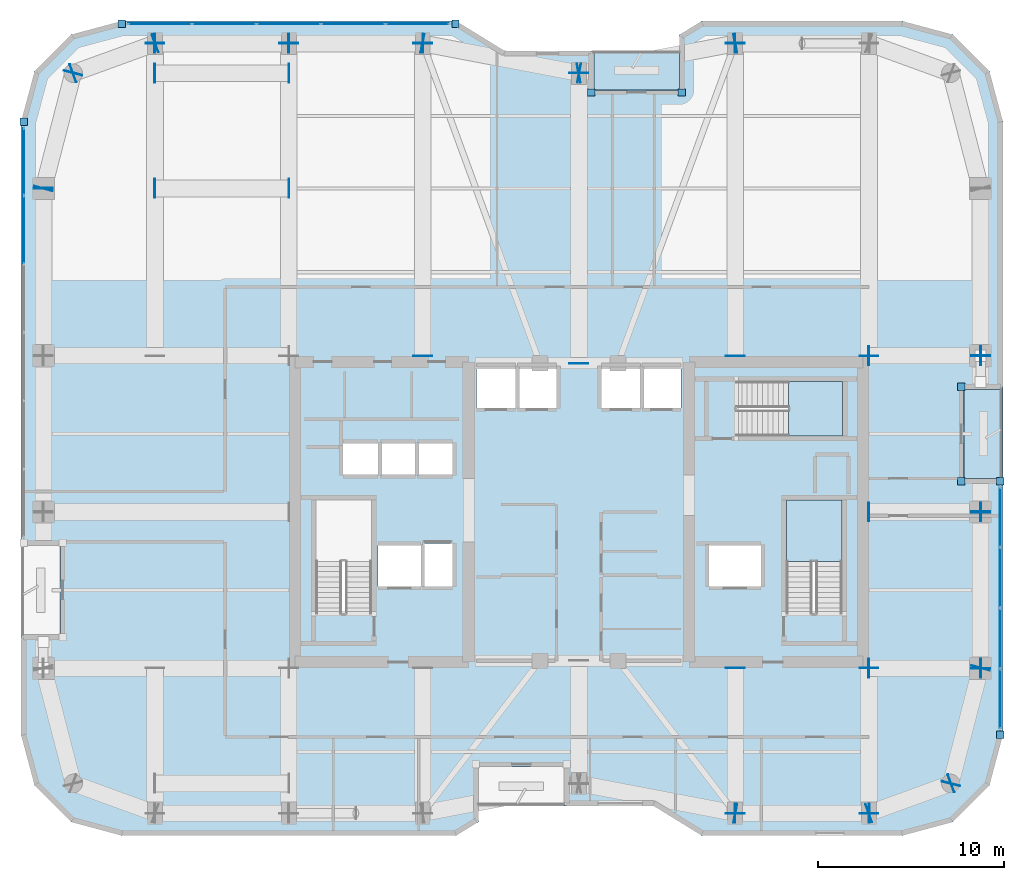
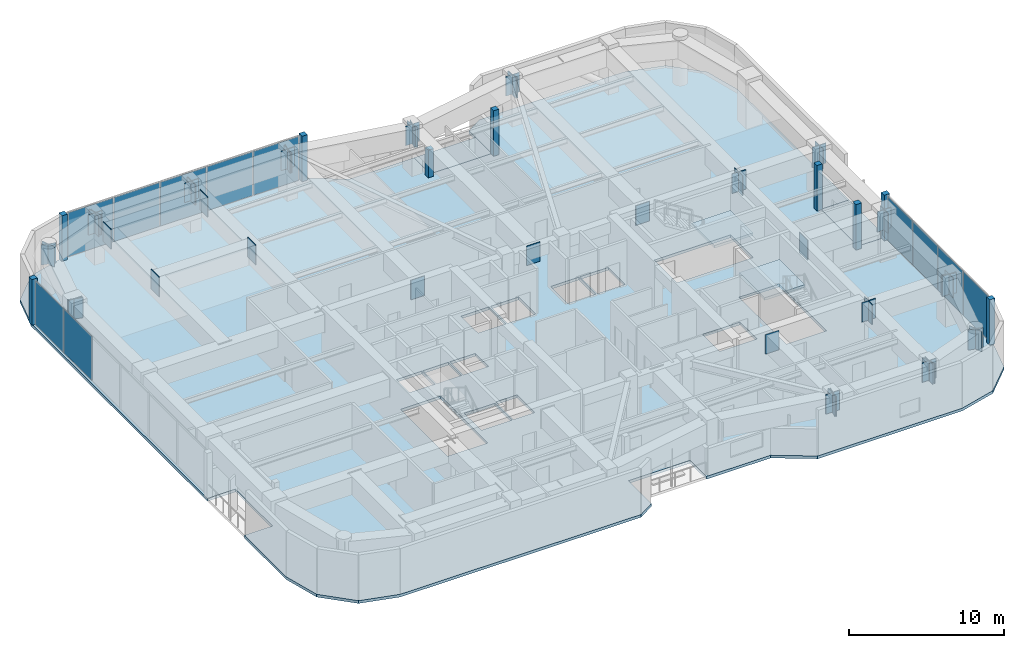
# One storey, part 22 of 30: 69 plates, 5 slabs, 5 elements without a shape of their own.
"""IFC4 building model written with IfcOpenShell, lengths in metres."""

from ifc_helpers import new_model, si_unit, direction, frame, origin, origin_2d, place, context, subcontext, project, spatial, polyline, rectangle, outline, extrude, material, layer, layer_set, type_object, element, aggregate, save


model = new_model("IFC4")

# Units and contexts
model_context = context("Model", 3, precision=1e-05, world=origin(), true_north=direction((0.0, 1.0)))
body_context = subcontext(model_context, "Body", "Model", "MODEL_VIEW")
ifc_project = project(units=[si_unit("LENGTHUNIT", "METRE"), si_unit("AREAUNIT", "SQUARE_METRE"), si_unit("VOLUMEUNIT", "CUBIC_METRE"), si_unit("PLANEANGLEUNIT", "RADIAN"), si_unit("MASSUNIT", "GRAM", prefix="KILO")], contexts=[model_context])

# Site, building, storey
site_placement = place(None, origin())
site = spatial("IfcSite", under=ifc_project, at=site_placement, CompositionType="ELEMENT")
building_placement = place(site_placement, origin())
building = spatial("IfcBuilding", under=site, at=building_placement, Name="Kiyonajd Concourse Tower", CompositionType="ELEMENT")
storey_placement = place(building_placement, frame((0.0, 0.0, 205.800048828125)))
storey = spatial("IfcBuildingStorey", under=building, at=storey_placement, Name="L52", CompositionType="ELEMENT", Elevation=205.800048828125)

# Plates
ifc_material_1 = material(Name="Steel ASTM A572 Grade 50", Category="steel")
ifc_layer_1 = layer(ifc_material_1, 0.031982421875)
ifc_layer_set_1 = layer_set([ifc_layer_1], Name="Steel ASTM A572 Grade 50")
plate_type_1 = type_object("IfcPlateType", Name="PL-CAP-540", PredefinedType="USERDEFINED", material=ifc_layer_set_1)
for number, where, z_axis, x_axis, name in (
    (1, (25.18896484375, 59.60009765625, 2.080078125), (0.0, 0.0, 1.0), (-1.0, 0.0, 0.0), "L52 Transfer Box Cap Plate"),
    (2, (32.410888671875, 59.60009765625, 2.080078125), (0.0, 0.0, 1.0), (1.0, 0.0, 0.0), "L52 Transfer Box Cap Plate"),
    (3, (25.18896484375, 53.39990234375, 2.080078125), (0.0, 0.0, 1.0), (-1.0, 0.0, 0.0), "L52 Transfer Box Cap Plate"),
    (4, (32.410888671875, 53.39990234375, 2.080078125), (0.0, 0.0, 1.0), (1.0, 0.0, 0.0), "L52 Transfer Box Cap Plate"),
    (5, (56.410888671875, 19.7978515625, 2.080078125), (0.0, 0.0, 1.0), (0.982352599301, -0.187038420242, 0.0), "L52 Welded Box Girder End Cap"),
    (6, (56.388916015625, 19.800048828125, 2.080078125), (0.0, 0.0, 1.0), (-1.0, 0.0, 0.0), "L52 Welded Box Girder End Cap"),
    (7, (63.611083984375, 19.800048828125, 2.080078125), (0.0, 0.0, 1.0), (1.0, 0.0, 0.0), "L52 Welded Box Girder End Cap"),
    (8, (63.589599609375, 19.796142578125, 2.080078125), (0.0, 0.0, 1.0), (-0.939811951086, -0.341692107891, 0.0), "L52 Welded Box Girder End Cap"),
    (9, (68.01025390625, 21.40380859375, 2.080078125), (0.0, 0.0, 1.0), (0.939811951086, 0.341692107891, 0.0), "L52 Welded Box Girder End Cap"),
    (10, (67.997314453125, 21.389404296875, 2.080078125), (0.0, 0.0, 1.0), (-0.249873048837, -0.968278606324, 0.0), "L52 Welded Box Girder End Cap"),
    (11, (69.602783203125, 27.610595703125, 2.080078125), (0.0, 0.0, 1.0), (0.249873048837, 0.968278606324, 0.0), "L52 Welded Box Girder End Cap"),
    (12, (69.60009765625, 27.589111328125, 2.080078125), (0.0, 0.0, 1.0), (0.0, -1.0, 0.0), "L52 Welded Box Girder End Cap"),
    (13, (69.60009765625, 36.010986328125, 2.080078125), (0.0, 0.0, 1.0), (0.0, 1.0, 0.0), "L52 Welded Box Girder End Cap"),
    (14, (69.60009765625, 35.989013671875, 2.080078125), (0.0, 0.0, 1.0), (0.0, -1.0, 0.0), "L52 Welded Box Girder End Cap"),
    (15, (69.60009765625, 44.410888671875, 2.080078125), (0.0, 0.0, 1.0), (0.0, 1.0, 0.0), "L52 Welded Box Girder End Cap"),
    (16, (69.60009765625, 44.388916015625, 2.080078125), (0.0, 0.0, 1.0), (0.0, -1.0, 0.0), "L52 Welded Box Girder End Cap"),
    (17, (56.388916015625, 61.199951171875, 2.080078125), (0.0, 0.0, 1.0), (-1.0, 0.0, 0.0), "L52 Welded Box Girder End Cap"),
    (18, (56.410888671875, 61.2021484375, 2.080078125), (0.0, 0.0, 1.0), (0.982352599301, 0.187038420242, 0.0), "L52 Welded Box Girder End Cap"),
    (19, (47.9892578125, 59.597900390625, 2.080078125), (0.0, 0.0, 1.0), (-0.982352599301, -0.187038420242, 0.0), "L52 Welded Box Girder End Cap"),
    (20, (48.0107421875, 59.597900390625, 2.080078125), (0.0, 0.0, 1.0), (0.982352599301, -0.187038420242, 0.0), "L52 Welded Box Girder End Cap"),
    (21, (39.589111328125, 61.2021484375, 2.080078125), (0.0, 0.0, 1.0), (-0.982352599301, 0.187038420242, 0.0), "L52 Welded Box Girder End Cap"),
    (22, (39.611083984375, 61.199951171875, 2.080078125), (0.0, 0.0, 1.0), (1.0, 0.0, 0.0), "L52 Welded Box Girder End Cap"),
    (23, (32.388916015625, 61.199951171875, 2.080078125), (0.0, 0.0, 1.0), (-1.0, 0.0, 0.0), "L52 Welded Box Girder End Cap"),
    (24, (32.410888671875, 61.199951171875, 2.080078125), (0.0, 0.0, 1.0), (1.0, 0.0, 0.0), "L52 Welded Box Girder End Cap"),
    (25, (25.18896484375, 61.199951171875, 2.080078125), (0.0, 0.0, 1.0), (-1.0, 0.0, 0.0), "L52 Welded Box Girder End Cap"),
    (26, (25.210205078125, 61.203857421875, 2.14013671875), (0.0, 0.0, 1.0), (0.939811951086, 0.341692107891, 0.0), "L52 Welded Box Girder End Cap"),
    (27, (20.789794921875, 59.59619140625, 2.14013671875), (0.0, 0.0, 1.0), (-0.939811951086, -0.341692107891, 0.0), "L52 Welded Box Girder End Cap"),
    (28, (20.802734375, 59.610595703125, 2.14013671875), (0.0, 0.0, 1.0), (0.249873048837, 0.968278606324, 0.0), "L52 Welded Box Girder End Cap"),
    (29, (19.197265625, 53.389404296875, 2.14013671875), (0.0, 0.0, 1.0), (-0.249873048837, -0.968278606324, 0.0), "L52 Welded Box Girder End Cap"),
    (30, (19.199951171875, 53.410888671875, 2.14013671875), (0.0, 0.0, 1.0), (0.0, 1.0, 0.0), "L52 Welded Box Girder End Cap"),
    (31, (25.199951171875, 61.2109375, 2.080078125), (0.0, 0.0, 1.0), (0.0, 1.0, 0.0), "L52 Welded Box Girder End Cap"),
):
    element("IfcPlate", number, at=place(storey_placement, frame(where, z_axis=z_axis, x_axis=x_axis)), inside=storey, type_object=plate_type_1, Name=name, ObjectType="CAP PLATE", PredefinedType="USERDEFINED", context=body_context, shape_type="SweptSolid", body=[
        extrude(rectangle(XDim=0.035888671875, YDim=1.02001953125, at=origin_2d()), origin(), (0.0, 0.0, 1.0), 1.590087890625),
    ])
for number, where, z_axis, x_axis, name in (
    (32, (32.39990234375, 61.2109375, 2.1298828125), (0.0, 0.0, 1.0), (0.0, 1.0, 0.0), "L52 Welded Box Girder End Cap"),
    (33, (39.60009765625, 44.388916015625, 2.1298828125), (0.0, 0.0, 1.0), (0.0, -1.0, 0.0), "L52 Welded Box Girder End Cap"),
    (34, (39.60009765625, 61.2109375, 2.1298828125), (0.0, 0.0, 1.0), (0.0, 1.0, 0.0), "L52 Welded Box Girder End Cap"),
    (35, (56.39990234375, 19.7890625, 2.1298828125), (0.0, 0.0, 1.0), (0.0, -1.0, 0.0), "L52 Welded Box Girder End Cap"),
    (36, (56.39990234375, 27.611083984375, 2.1298828125), (0.0, 0.0, 1.0), (0.0, 1.0, 0.0), "L52 Welded Box Girder End Cap"),
    (37, (56.39990234375, 44.388916015625, 2.1298828125), (0.0, 0.0, 1.0), (0.0, -1.0, 0.0), "L52 Welded Box Girder End Cap"),
    (38, (56.39990234375, 61.2109375, 2.1298828125), (0.0, 0.0, 1.0), (0.0, 1.0, 0.0), "L52 Welded Box Girder End Cap"),
    (39, (63.60009765625, 19.7890625, 2.1298828125), (0.0, 0.0, 1.0), (0.0, -1.0, 0.0), "L52 Welded Box Girder End Cap"),
    (40, (63.60009765625, 27.611083984375, 2.1298828125), (0.0, 0.0, 1.0), (0.0, 1.0, 0.0), "L52 Welded Box Girder End Cap"),
    (41, (63.60009765625, 44.388916015625, 2.1298828125), (0.0, 0.0, 1.0), (0.0, -1.0, 0.0), "L52 Welded Box Girder End Cap"),
    (42, (48.0, 43.989013671875, 2.1298828125), (0.0, 0.0, 1.0), (0.0, -1.0, 0.0), "L52 Welded Box Girder End Cap"),
    (43, (48.0, 59.611083984375, 2.1298828125), (0.0, 0.0, 1.0), (0.0, 1.0, 0.0), "L52 Welded Box Girder End Cap"),
):
    element("IfcPlate", number, at=place(storey_placement, frame(where, z_axis=z_axis, x_axis=x_axis)), inside=storey, type_object=plate_type_1, Name=name, ObjectType="CAP PLATE", PredefinedType="USERDEFINED", context=body_context, shape_type="SweptSolid", body=[
        extrude(rectangle(XDim=0.035888671875, YDim=1.02001953125, at=origin_2d()), origin(), (0.0, 0.0, 1.0), 1.5400390625),
    ])
for number, where, z_axis, x_axis, name in (
    (44, (63.589111328125, 27.60009765625, 2.080078125), (0.0, 0.0, 1.0), (-1.0, 0.0, 0.0), "L52 Welded Box Girder End Cap"),
    (45, (69.611083984375, 27.60009765625, 2.080078125), (0.0, 0.0, 1.0), (1.0, 0.0, 0.0), "L52 Welded Box Girder End Cap"),
    (46, (63.589111328125, 36.0, 2.080078125), (0.0, 0.0, 1.0), (-1.0, 0.0, 0.0), "L52 Welded Box Girder End Cap"),
    (47, (69.611083984375, 36.0, 2.080078125), (0.0, 0.0, 1.0), (1.0, 0.0, 0.0), "L52 Welded Box Girder End Cap"),
    (48, (63.589111328125, 44.39990234375, 2.080078125), (0.0, 0.0, 1.0), (-1.0, 0.0, 0.0), "L52 Welded Box Girder End Cap"),
    (49, (69.611083984375, 44.39990234375, 2.080078125), (0.0, 0.0, 1.0), (1.0, 0.0, 0.0), "L52 Welded Box Girder End Cap"),
):
    element("IfcPlate", number, at=place(storey_placement, frame(where, z_axis=z_axis, x_axis=x_axis)), inside=storey, type_object=plate_type_1, Name=name, ObjectType="CAP PLATE", PredefinedType="USERDEFINED", context=body_context, shape_type="SweptSolid", body=[
        extrude(rectangle(XDim=0.035888671875, YDim=1.02001953125, at=origin_2d()), origin(), (0.0, 0.0, 1.0), 1.590087890625),
    ])

# Curtain wall, plates
ifc_material_2 = material(Name="Thermally Broken Anodised Aluminium", Category="aluminium")
ifc_layer_2 = layer(ifc_material_2, 0.179931640625)
ifc_layer_set_2 = layer_set([ifc_layer_2], Name="Thermally Broken Anodised Aluminium")
curtain_wall_type = type_object("IfcCurtainWallType", Name="CW-SYS-03", PredefinedType="NOTDEFINED", material=ifc_layer_set_2)
curtain_wall_1_placement = place(storey_placement, origin())
curtain_wall_1 = element("IfcCurtainWall", 50, at=curtain_wall_1_placement, inside=storey, type_object=curtain_wall_type, Name="L52 Unitised Curtain Wall CW3", PredefinedType="NOTDEFINED")
ifc_material_3 = material(Name="Double Low-E Insulated Glass", Category="glass")
ifc_layer_3 = layer(ifc_material_3, 0.033935546875)
ifc_layer_set_3 = layer_set([ifc_layer_3], Name="Double Low-E Insulated Glass")
plate_type_2 = type_object("IfcPlateType", Name="PL-CW-VIS34", PredefinedType="CURTAIN_PANEL", material=ifc_layer_set_3)
plate_1_placement = place(storey_placement, frame((18.139892578125, 51.17626953125, 0.06494140625), z_axis=(0.0, 0.0, 1.0), x_axis=(0.0, 1.0, 0.0)))
plate_1 = element("IfcPlate", 51, at=plate_1_placement, type_object=plate_type_2, Name="CW3 panel 5.1", PredefinedType="CURTAIN_PANEL", context=body_context, shape_type="SweptSolid", body=[
    extrude(rectangle(XDim=3.61181640625, YDim=0.033935546875, at=origin_2d()), origin(), (0.0, 0.0, 1.0), 3.469970703125),
])
plate_2_placement = place(storey_placement, frame((18.139892578125, 54.8369140625, 0.06494140625), z_axis=(0.0, 0.0, 1.0), x_axis=(0.0, 1.0, 0.0)))
plate_2 = element("IfcPlate", 52, at=plate_2_placement, type_object=plate_type_2, Name="CW3 panel 6.1", PredefinedType="CURTAIN_PANEL", context=body_context, shape_type="SweptSolid", body=[
    extrude(rectangle(XDim=3.579345703125, YDim=0.033935546875, at=origin_2d()), origin(), (0.0, 0.0, 1.0), 3.469970703125),
])
aggregate(curtain_wall_1, [plate_1, plate_2])

curtain_wall_2_placement = place(storey_placement, origin())
curtain_wall_2 = element("IfcCurtainWall", 53, at=curtain_wall_2_placement, inside=storey, type_object=curtain_wall_type, Name="L52 Unitised Curtain Wall CW3", PredefinedType="NOTDEFINED")
plate_3_placement = place(storey_placement, frame((25.4609375, 62.260009765625, 0.06494140625), z_axis=(0.0, 0.0, 1.0), x_axis=(1.0, 0.0, 0.0)))
plate_3 = element("IfcPlate", 54, at=plate_3_placement, type_object=plate_type_2, Name="CW3 panel 1.1", PredefinedType="CURTAIN_PANEL", context=body_context, shape_type="SweptSolid", body=[
    extrude(rectangle(XDim=3.375, YDim=0.033935546875, at=origin_2d()), origin(), (0.0, 0.0, 1.0), 3.469970703125),
])
plate_4_placement = place(storey_placement, frame((28.9169921875, 62.260009765625, 0.06494140625), z_axis=(0.0, 0.0, 1.0), x_axis=(1.0, 0.0, 0.0)))
plate_4 = element("IfcPlate", 55, at=plate_4_placement, type_object=plate_type_2, Name="CW3 panel 2.1", PredefinedType="CURTAIN_PANEL", context=body_context, shape_type="SweptSolid", body=[
    extrude(rectangle(XDim=3.407470703125, YDim=0.033935546875, at=origin_2d()), origin(), (0.0, 0.0, 1.0), 3.469970703125),
])
plate_5_placement = place(storey_placement, frame((32.389404296875, 62.260009765625, 0.06494140625), z_axis=(0.0, 0.0, 1.0), x_axis=(1.0, 0.0, 0.0)))
plate_5 = element("IfcPlate", 56, at=plate_5_placement, type_object=plate_type_2, Name="CW3 panel 3.1", PredefinedType="CURTAIN_PANEL", context=body_context, shape_type="SweptSolid", body=[
    extrude(rectangle(XDim=3.407470703125, YDim=0.033935546875, at=origin_2d()), origin(), (0.0, 0.0, 1.0), 3.469970703125),
])
plate_6_placement = place(storey_placement, frame((35.86181640625, 62.260009765625, 0.06494140625), z_axis=(0.0, 0.0, 1.0), x_axis=(1.0, 0.0, 0.0)))
plate_6 = element("IfcPlate", 57, at=plate_6_placement, type_object=plate_type_2, Name="CW3 panel 4.1", PredefinedType="CURTAIN_PANEL", context=body_context, shape_type="SweptSolid", body=[
    extrude(rectangle(XDim=3.407470703125, YDim=0.033935546875, at=origin_2d()), origin(), (0.0, 0.0, 1.0), 3.469970703125),
])
plate_7_placement = place(storey_placement, frame((39.31787109375, 62.260009765625, 0.06494140625), z_axis=(0.0, 0.0, 1.0), x_axis=(1.0, 0.0, 0.0)))
plate_7 = element("IfcPlate", 58, at=plate_7_placement, type_object=plate_type_2, Name="CW3 panel 5.1", PredefinedType="CURTAIN_PANEL", context=body_context, shape_type="SweptSolid", body=[
    extrude(rectangle(XDim=3.375, YDim=0.033935546875, at=origin_2d()), origin(), (0.0, 0.0, 1.0), 3.469970703125),
])
aggregate(curtain_wall_2, [plate_3, plate_4, plate_5, plate_6, plate_7])

curtain_wall_3_placement = place(storey_placement, origin())
curtain_wall_3 = element("IfcCurtainWall", 59, at=curtain_wall_3_placement, inside=storey, type_object=curtain_wall_type, Name="L52 Unitised Curtain Wall CW3", PredefinedType="NOTDEFINED")
plate_8_placement = place(storey_placement, frame((70.659912109375, 35.720947265625, 0.06494140625), z_axis=(0.0, 0.0, 1.0), x_axis=(0.0, -1.0, 0.0)))
plate_8 = element("IfcPlate", 60, at=plate_8_placement, type_object=plate_type_2, Name="CW3 panel 1.1", PredefinedType="CURTAIN_PANEL", context=body_context, shape_type="SweptSolid", body=[
    extrude(rectangle(XDim=3.16796875, YDim=0.033935546875, at=origin_2d()), origin(), (0.0, 0.0, 1.0), 3.469970703125),
])
plate_9_placement = place(storey_placement, frame((70.659912109375, 32.471923828125, 0.06494140625), z_axis=(0.0, 0.0, 1.0), x_axis=(0.0, -1.0, 0.0)))
plate_9 = element("IfcPlate", 61, at=plate_9_placement, type_object=plate_type_2, Name="CW3 panel 2.1", PredefinedType="CURTAIN_PANEL", context=body_context, shape_type="SweptSolid", body=[
    extrude(rectangle(XDim=3.200439453125, YDim=0.033935546875, at=origin_2d()), origin(), (0.0, 0.0, 1.0), 3.469970703125),
])
plate_10_placement = place(storey_placement, frame((70.659912109375, 29.20654296875, 0.06494140625), z_axis=(0.0, 0.0, 1.0), x_axis=(0.0, -1.0, 0.0)))
plate_10 = element("IfcPlate", 62, at=plate_10_placement, type_object=plate_type_2, Name="CW3 panel 3.1", PredefinedType="CURTAIN_PANEL", context=body_context, shape_type="SweptSolid", body=[
    extrude(rectangle(XDim=3.200439453125, YDim=0.033935546875, at=origin_2d()), origin(), (0.0, 0.0, 1.0), 3.469970703125),
])
plate_11_placement = place(storey_placement, frame((70.659912109375, 25.957275390625, 0.06494140625), z_axis=(0.0, 0.0, 1.0), x_axis=(0.0, -1.0, 0.0)))
plate_11 = element("IfcPlate", 63, at=plate_11_placement, type_object=plate_type_2, Name="CW3 panel 4.1", PredefinedType="CURTAIN_PANEL", context=body_context, shape_type="SweptSolid", body=[
    extrude(rectangle(XDim=3.16796875, YDim=0.033935546875, at=origin_2d()), origin(), (0.0, 0.0, 1.0), 3.469970703125),
])
aggregate(curtain_wall_3, [plate_8, plate_9, plate_10, plate_11])

# Plates
ifc_layer_4 = layer(ifc_material_2, 0.39990234375)
ifc_layer_set_4 = layer_set([ifc_layer_4], Name="Thermally Broken Anodised Aluminium")
plate_type_3 = type_object("IfcPlateType", Name="PL-JMB-400", PredefinedType="USERDEFINED", material=ifc_layer_set_4)
for number, where, z_axis, x_axis, name in (
    (64, (18.139892578125, 56.981689453125, 0.0), (0.0, 0.0, 1.0), (1.0, 0.0, 0.0), "L52 Facade Jamb Closure Plate 04"),
    (65, (23.41845703125, 62.260009765625, 0.0), (0.0, 0.0, 1.0), (1.0, 0.0, 0.0), "L52 Facade Jamb Closure Plate 05"),
    (66, (41.3603515625, 62.260009765625, 0.0), (0.0, 0.0, 1.0), (1.0, 0.0, 0.0), "L52 Facade Jamb Closure Plate 06"),
):
    element("IfcPlate", number, at=place(storey_placement, frame(where, z_axis=z_axis, x_axis=x_axis)), inside=storey, type_object=plate_type_3, Name=name, ObjectType="JAMB PLATE", PredefinedType="USERDEFINED", context=body_context, shape_type="SweptSolid", body=[
        extrude(rectangle(XDim=0.39990234375, YDim=0.39990234375, at=origin_2d()), origin(), (0.0, 0.0, 1.0), 3.60009765625),
    ])
plate_12_placement = place(storey_placement, frame((48.659912109375, 58.56005859375, 0.0), z_axis=(0.0, 0.0, 1.0), x_axis=(1.0, 0.0, 0.0)))
element("IfcPlate", 67, at=plate_12_placement, inside=storey, type_object=plate_type_3, Name="L52 Facade Jamb Closure Plate 07", ObjectType="JAMB PLATE", PredefinedType="USERDEFINED", context=body_context, shape_type="SweptSolid", body=[
    extrude(rectangle(XDim=0.39990234375, YDim=0.39990234375, at=origin_2d()), origin(), (0.0, 0.0, 1.0), 2.18505859375),
])
for number, where, z_axis, x_axis, name in (
    (68, (53.5400390625, 58.56005859375, 0.0), (0.0, 0.0, 1.0), (1.0, 0.0, 0.0), "L52 Facade Jamb Closure Plate 08"),
    (69, (68.56005859375, 42.739990234375, 0.0), (0.0, 0.0, 1.0), (1.0, 0.0, 0.0), "L52 Facade Jamb Closure Plate 09"),
    (70, (68.56005859375, 37.659912109375, 0.0), (0.0, 0.0, 1.0), (1.0, 0.0, 0.0), "L52 Facade Jamb Closure Plate 10"),
    (71, (70.659912109375, 37.659912109375, 0.0), (0.0, 0.0, 1.0), (1.0, 0.0, 0.0), "L52 Facade Jamb Closure Plate 11"),
    (72, (70.659912109375, 24.018310546875, 0.0), (0.0, 0.0, 1.0), (1.0, 0.0, 0.0), "L52 Facade Jamb Closure Plate 12"),
):
    element("IfcPlate", number, at=place(storey_placement, frame(where, z_axis=z_axis, x_axis=x_axis)), inside=storey, type_object=plate_type_3, Name=name, ObjectType="JAMB PLATE", PredefinedType="USERDEFINED", context=body_context, shape_type="SweptSolid", body=[
        extrude(rectangle(XDim=0.39990234375, YDim=0.39990234375, at=origin_2d()), origin(), (0.0, 0.0, 1.0), 3.60009765625),
    ])

# Stair, slab
ifc_material_4 = material(Name="Concrete C40/50", Category="concrete")
stair_type = type_object("IfcStairType", Name="ST-DLG-22R", PredefinedType="HALF_TURN_STAIR", material=ifc_material_4)
stair_1_placement = place(storey_placement, origin())
stair_1 = element("IfcStair", 73, at=stair_1_placement, inside=storey, type_object=stair_type, Name="L52 Protected Exit Stair ST2", PredefinedType="HALF_TURN_STAIR")
ifc_layer_5 = layer(ifc_material_4, 0.199951171875)
ifc_layer_set_5 = layer_set([ifc_layer_5], Name="Concrete C40/50")
slab_type_1 = type_object("IfcSlabType", Name="SL-LND-200", PredefinedType="LANDING", material=ifc_layer_set_5)
slab_1_placement = place(storey_placement, frame((0.0, 0.0, 1.75)))
slab_1 = element("IfcSlab", 74, at=slab_1_placement, type_object=slab_type_1, Name="ST2 landing 1", PredefinedType="LANDING", context=body_context, shape_type="SweptSolid", body=[
    extrude(outline(polyline([(62.14990234375, 33.35009765625), (62.14990234375, 36.64990234375), (59.14990234375, 36.64990234375), (59.14990234375, 33.35009765625), (62.14990234375, 33.35009765625)])), origin(), (0.0, 0.0, 1.0), 0.199951171875),
])
aggregate(stair_1, [slab_1])

stair_2_placement = place(storey_placement, origin())
stair_2 = element("IfcStair", 75, at=stair_2_placement, inside=storey, type_object=stair_type, Name="L52 Protected Exit Stair ST3", PredefinedType="HALF_TURN_STAIR")
slab_2_placement = place(storey_placement, frame((0.0, 0.0, 1.75)))
slab_2 = element("IfcSlab", 76, at=slab_2_placement, type_object=slab_type_1, Name="ST3 landing 1", PredefinedType="LANDING", context=body_context, shape_type="SweptSolid", body=[
    extrude(outline(polyline([(59.280029296875, 40.080078125), (62.179931640625, 40.080078125), (62.179931640625, 43.02001953125), (59.280029296875, 43.02001953125), (59.280029296875, 40.080078125)])), origin(), (0.0, 0.0, 1.0), 0.199951171875),
])
aggregate(stair_2, [slab_2])

# Slabs
ifc_material_5 = material(Name="Precast concrete C50/60", Category="concrete")
ifc_layer_6 = layer(ifc_material_5, 0.199951171875)
ifc_layer_set_6 = layer_set([ifc_layer_6], Name="Precast concrete C50/60")
slab_type_2 = type_object("IfcSlabType", Name="SL-LOG-200", PredefinedType="FLOOR", material=ifc_layer_set_6)
slab_3_placement = place(storey_placement, frame((0.0, 0.0, -0.199951171875)))
element("IfcSlab", 77, at=slab_3_placement, inside=storey, type_object=slab_type_2, Name="L52 Recessed Engawa Loggia Terrace Slab LOG-N", PredefinedType="FLOOR", context=body_context, shape_type="SweptSolid", body=[
    extrude(outline(polyline([(48.800048828125, 58.699951171875), (53.39990234375, 58.699951171875), (53.39990234375, 60.800048828125), (48.800048828125, 60.800048828125), (48.800048828125, 58.699951171875)])), origin(), (0.0, 0.0, 1.0), 0.199951171875),
])
slab_4_placement = place(storey_placement, frame((0.0, 0.0, -0.199951171875)))
element("IfcSlab", 78, at=slab_4_placement, inside=storey, type_object=slab_type_2, Name="L52 Recessed Engawa Loggia Terrace Slab LOG-E", PredefinedType="FLOOR", context=body_context, shape_type="SweptSolid", body=[
    extrude(outline(polyline([(68.699951171875, 37.800048828125), (70.800048828125, 37.800048828125), (70.800048828125, 42.60009765625), (68.699951171875, 42.60009765625), (68.699951171875, 37.800048828125)])), origin(), (0.0, 0.0, 1.0), 0.199951171875),
])
ifc_layer_7 = layer(ifc_material_4, 0.219970703125)
ifc_layer_set_7 = layer_set([ifc_layer_7], Name="Concrete C40/50")
slab_type_3 = type_object("IfcSlabType", Name="SL-TWR-220", PredefinedType="FLOOR", material=ifc_layer_set_7)
slab_5_placement = place(storey_placement, frame((0.0, 0.0, -0.219970703125)))
element("IfcSlab", 79, at=slab_5_placement, inside=storey, type_object=slab_type_3, Name="L52 Tower Conditioned Floor Slab", PredefinedType="FLOOR", context=body_context, shape_type="SweptSolid", body=[
    extrude(outline(polyline([(18.722900390625, 21.300048828125), (18.0, 24.0), (18.0, 29.39990234375), (20.10009765625, 29.39990234375), (20.10009765625, 34.199951171875), (18.0, 34.199951171875), (18.0, 57.0), (18.722900390625, 59.699951171875), (20.699951171875, 61.677001953125), (23.39990234375, 62.39990234375), (41.39990234375, 62.39990234375), (44.0, 60.800048828125), (48.800048828125, 60.800048828125), (48.800048828125, 58.699951171875), (53.39990234375, 58.699951171875), (53.39990234375, 61.662109375), (54.60009765625, 62.39990234375), (65.39990234375, 62.39990234375), (68.10009765625, 61.677001953125), (70.076904296875, 59.699951171875), (70.800048828125, 57.0), (70.800048828125, 42.60009765625), (68.699951171875, 42.60009765625), (68.699951171875, 37.800048828125), (70.800048828125, 37.800048828125), (70.800048828125, 24.0), (70.076904296875, 21.300048828125), (68.10009765625, 19.322998046875), (65.39990234375, 18.60009765625), (54.60009765625, 18.60009765625), (52.0, 20.199951171875), (47.199951171875, 20.199951171875), (47.199951171875, 22.300048828125), (42.60009765625, 22.300048828125), (42.60009765625, 19.337890625), (41.39990234375, 18.60009765625), (23.39990234375, 18.60009765625), (20.699951171875, 19.322998046875), (18.722900390625, 21.300048828125)]), holes=[polyline([(39.5, 32.0), (37.199951171875, 32.0), (37.199951171875, 34.199951171875), (39.5, 34.199951171875), (39.5, 32.0)]), polyline([(39.60009765625, 32.0), (39.60009765625, 34.300048828125), (41.199951171875, 34.300048828125), (41.199951171875, 32.0), (39.60009765625, 32.0)]), polyline([(33.85009765625, 30.550048828125), (33.85009765625, 36.64990234375), (36.85009765625, 36.64990234375), (36.85009765625, 30.550048828125), (33.85009765625, 30.550048828125)]), polyline([(37.199951171875, 38.0), (35.300048828125, 38.0), (35.300048828125, 39.699951171875), (37.199951171875, 39.699951171875), (37.199951171875, 38.0)]), polyline([(37.300048828125, 38.0), (37.300048828125, 39.699951171875), (39.199951171875, 39.699951171875), (39.199951171875, 38.0), (37.300048828125, 38.0)]), polyline([(39.300048828125, 38.0), (39.300048828125, 39.699951171875), (41.199951171875, 39.699951171875), (41.199951171875, 38.0), (39.300048828125, 38.0)]), polyline([(44.60009765625, 41.60009765625), (42.5, 41.60009765625), (42.5, 43.800048828125), (44.60009765625, 43.800048828125), (44.60009765625, 41.60009765625)]), polyline([(55.0, 32.0), (55.0, 34.199951171875), (57.800048828125, 34.199951171875), (57.800048828125, 32.0), (55.0, 32.0)]), polyline([(59.14990234375, 30.550048828125), (59.14990234375, 36.64990234375), (62.14990234375, 36.64990234375), (62.14990234375, 30.550048828125), (59.14990234375, 30.550048828125)]), polyline([(56.47998046875, 43.02001953125), (62.179931640625, 43.02001953125), (62.179931640625, 40.080078125), (56.47998046875, 40.080078125), (56.47998046875, 43.02001953125)]), polyline([(44.699951171875, 41.60009765625), (44.699951171875, 43.800048828125), (46.800048828125, 43.800048828125), (46.800048828125, 41.60009765625), (44.699951171875, 41.60009765625)]), polyline([(49.199951171875, 41.60009765625), (49.199951171875, 43.800048828125), (51.300048828125, 43.800048828125), (51.300048828125, 41.60009765625), (49.199951171875, 41.60009765625)]), polyline([(51.39990234375, 41.60009765625), (51.39990234375, 43.800048828125), (53.5, 43.800048828125), (53.5, 41.60009765625), (51.39990234375, 41.60009765625)])]), origin(), (0.0, 0.0, 1.0), 0.219970703125),
])

save(model, "model.ifc")
